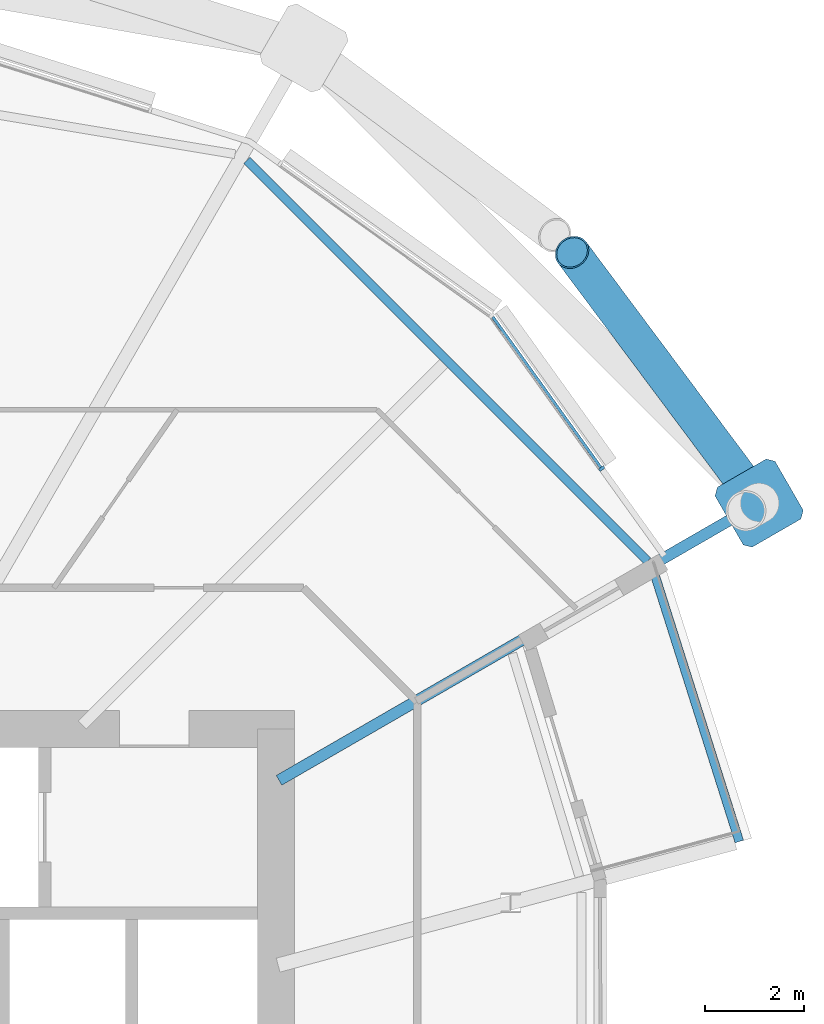
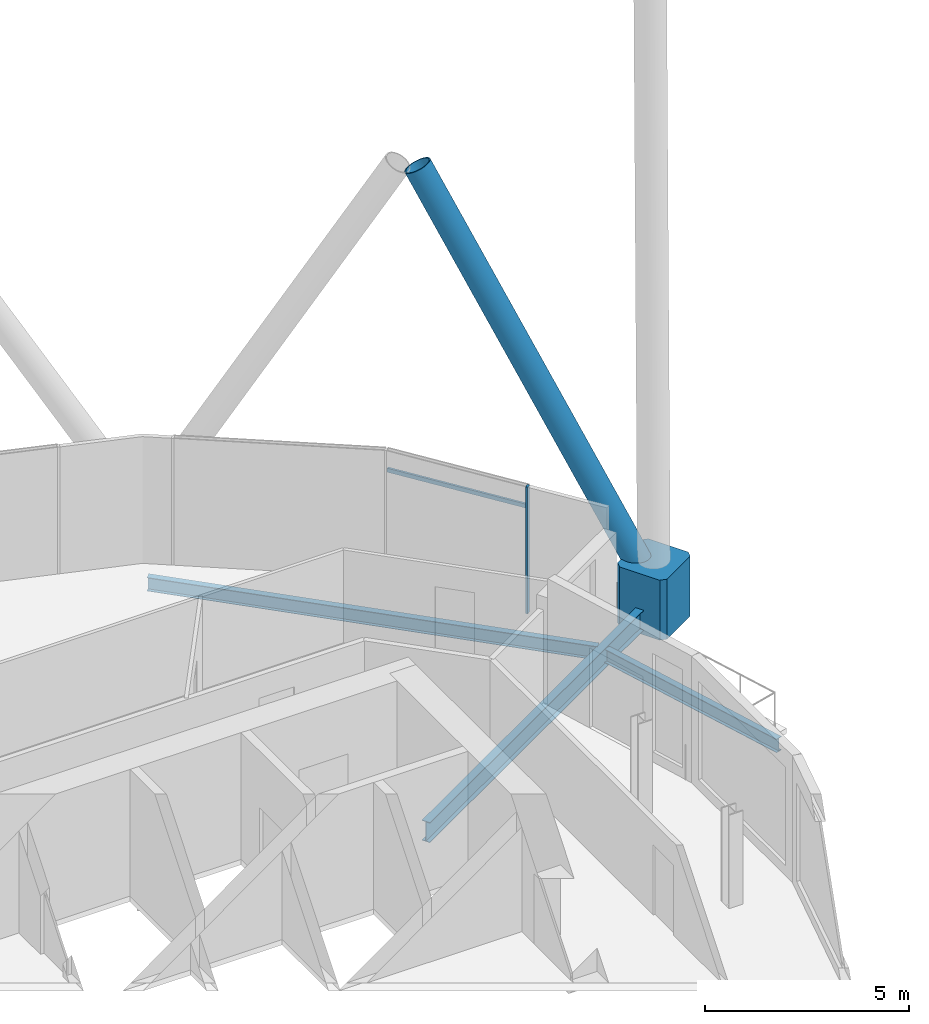
# One storey, part 23 of 39: 4 members, 3 beams, 1 element without a shape of its own.
"""IFC4 building model written with IfcOpenShell, lengths in metres."""

from ifc_helpers import new_model, si_unit, direction, frame, origin, origin_2d, place, context, subcontext, project, spatial, polyline, rectangle, hollow_circle, i_section, outline, extrude, material, material_profile, profile_set, type_object, element, aggregate, save


model = new_model("IFC4")

# Units and contexts
model_context = context("Model", 3, precision=1e-05, world=origin(), true_north=direction((0.0, 1.0)))
body_context = subcontext(model_context, "Body", "Model", "MODEL_VIEW")
ifc_project = project(units=[si_unit("LENGTHUNIT", "METRE"), si_unit("AREAUNIT", "SQUARE_METRE"), si_unit("VOLUMEUNIT", "CUBIC_METRE"), si_unit("PLANEANGLEUNIT", "RADIAN"), si_unit("MASSUNIT", "GRAM", prefix="KILO")], contexts=[model_context])

# Site, building, storey
site_placement = place(None, origin())
site = spatial("IfcSite", under=ifc_project, at=site_placement, CompositionType="ELEMENT")
building_placement = place(site_placement, origin())
building = spatial("IfcBuilding", under=site, at=building_placement, Name="Rimbun Link Towers", CompositionType="ELEMENT")
storey_placement = place(building_placement, frame((0.0, 0.0, 115.800048828125)))
storey = spatial("IfcBuildingStorey", under=building, at=storey_placement, Name="L28", CompositionType="ELEMENT", Elevation=115.800048828125)

# Curtain wall, members
ifc_material_1 = material(Name="Aluminium 6063-T6 and low-iron glass", Category="aluminium")
curtain_wall_type = type_object("IfcCurtainWallType", Name="CW1-Z2 unitised vision wall (zone 2)", PredefinedType="NOTDEFINED", material=ifc_material_1)
curtain_wall_placement = place(storey_placement, origin())
curtain_wall = element("IfcCurtainWall", 1, at=curtain_wall_placement, inside=storey, type_object=curtain_wall_type, Name="CW1 L28 T2", PredefinedType="NOTDEFINED")
ifc_material_2 = material(Name="Aluminium 6063-T6", Category="aluminium")
ifc_material_profile_1 = material_profile(ifc_material_2, rectangle(XDim=0.1201171875, YDim=0.06005859375, at=origin_2d()), Name="MULLION 60X120")
ifc_profile_set_1 = profile_set([ifc_material_profile_1], Name="Aluminium 6063-T6")
member_type_1 = type_object("IfcMemberType", Name="CW1 mullion 60X120", PredefinedType="MULLION", material=ifc_profile_set_1)
member_1_placement = place(storey_placement, frame((50.328125, 13.2607421875, 0.0), z_axis=(0.0, 0.0, 1.0), x_axis=(0.812469264421, 0.583004026034, 0.0)))
member_1 = element("IfcMember", 2, at=member_1_placement, type_object=member_type_1, Name="CW1 mullion", PredefinedType="MULLION", context=body_context, shape_type="SweptSolid", body=[
    extrude(rectangle(XDim=0.1201171875, YDim=0.06005859375, at=origin_2d()), origin(), (0.0, 0.0, 1.0), 3.800048828125),
])
ifc_material_3 = material(Name="Aluminium 6063-T6", Category="aluminium")
ifc_material_profile_2 = material_profile(ifc_material_3, rectangle(XDim=0.06005859375, YDim=0.1201171875, at=origin_2d()), Name="TRANSOM 60X120")
ifc_profile_set_2 = profile_set([ifc_material_profile_2], Name="Aluminium 6063-T6")
member_type_2 = type_object("IfcMemberType", Name="CW1 transom 60X120", PredefinedType="USERDEFINED", material=ifc_profile_set_2)
member_2_placement = place(storey_placement, frame((48.128173828125, 16.322998046875, 3.199951171875), z_axis=(0.582990310005, -0.812479106464, 0.0), x_axis=(0.812479106464, 0.582990310005, 0.0)))
member_2 = element("IfcMember", 3, at=member_2_placement, type_object=member_type_2, Name="CW1 transom", ObjectType="TRANSOM", PredefinedType="USERDEFINED", context=body_context, shape_type="SweptSolid", body=[
    extrude(rectangle(XDim=0.06005859375, YDim=0.1201171875, at=origin_2d()), origin(), (0.0, 0.0, 1.0), 3.740478515625),
])
aggregate(curtain_wall, [member_1, member_2])

# Members
ifc_material_4 = material(Name="Steel S460NH", Category="steel")
ifc_material_profile_3 = material_profile(ifc_material_4, hollow_circle(Radius=0.355712890625, WallThickness=0.031982421875, at=origin_2d()), Name="Diagrid diagonal CHS 711x32")
ifc_profile_set_3 = profile_set([ifc_material_profile_3], Name="Steel S460NH")
member_type_3 = type_object("IfcMemberType", Name="Diagrid diagonal CHS 711x32", PredefinedType="BRACE", material=ifc_profile_set_3)
member_3_placement = place(storey_placement, frame((53.361083984375, 12.763427734375, 0.43310546875), z_axis=(-0.298707794473, 0.400231497677, 0.866365051112), x_axis=(-0.801406649139, -0.598119873199, 0.0)))
element("IfcMember", 4, at=member_3_placement, inside=storey, type_object=member_type_3, Name="Diagrid diagonal T2 L28-L31 23b", PredefinedType="BRACE", context=body_context, shape_type="SweptSolid", body=[
    extrude(hollow_circle(Radius=0.355712890625, WallThickness=0.031982421875, at=origin_2d()), origin(), (0.0, 0.0, 1.0), 12.158447265625),
])
ifc_material_5 = material(Name="Cast steel G20Mn5+QT, Rp0.2 300 MPa", Category="steel")
ifc_material_profile_4 = material_profile(ifc_material_5, outline(polyline([(0.699951171875, -0.570068359375), (0.699951171875, 0.570068359375), (0.570068359375, 0.699951171875), (-0.570068359375, 0.699951171875), (-0.699951171875, 0.570068359375), (-0.699951171875, -0.570068359375), (-0.570068359375, -0.699951171875), (0.570068359375, -0.699951171875), (0.699951171875, -0.570068359375)])), Name="NODE 1400x1400")
ifc_profile_set_4 = profile_set([ifc_material_profile_4], Name="Cast steel G20Mn5+QT, Rp0.2 300 MPa")
member_type_4 = type_object("IfcMemberType", Name="Diagrid node cast 1400", PredefinedType="USERDEFINED", material=ifc_profile_set_4)
member_4_placement = place(storey_placement, frame((53.510498046875, 12.5634765625, -0.900146484375), z_axis=(0.0, 0.0, 1.0), x_axis=(0.866025403784, 0.5, 0.0)))
element("IfcMember", 5, at=member_4_placement, inside=storey, type_object=member_type_4, Name="Diagrid node L28 23", ObjectType="Diagrid node", PredefinedType="USERDEFINED", context=body_context, shape_type="SweptSolid", body=[
    extrude(outline(polyline([(0.699951171875, -0.570068359375), (0.699951171875, 0.570068359375), (0.570068359375, 0.699951171875), (-0.570068359375, 0.699951171875), (-0.699951171875, 0.570068359375), (-0.699951171875, -0.570068359375), (-0.570068359375, -0.699951171875), (0.570068359375, -0.699951171875), (0.699951171875, -0.570068359375)])), origin(), (0.0, 0.0, 1.0), 1.800048828125),
])

# Beams
ifc_material_6 = material(Name="Steel S355J2", Category="steel")
ifc_material_profile_5 = material_profile(ifc_material_6, i_section(OverallWidth=0.177978515625, OverallDepth=0.406494140625, WebThickness=0.0078125, FlangeThickness=0.0126953125, at=origin_2d()), Name="UB 406x178x60")
ifc_profile_set_5 = profile_set([ifc_material_profile_5], Name="Steel S355J2")
beam_type_1 = type_object("IfcBeamType", Name="UB 406x178x60", PredefinedType="BEAM", material=ifc_profile_set_5)
beam_1_placement = place(storey_placement, frame((53.109375, 5.724365234375, -0.36328125), z_axis=(-0.30193371145, 0.953328922193, 0.0), x_axis=(-0.953328922193, -0.30193371145, 0.0)))
element("IfcBeam", 6, at=beam_1_placement, inside=storey, type_object=beam_type_1, Name="Edge beam T2 L28 22 terrace", PredefinedType="BEAM", context=body_context, shape_type="SweptSolid", body=[
    extrude(i_section(OverallWidth=0.177978515625, OverallDepth=0.406494140625, WebThickness=0.0078125, FlangeThickness=0.0126953125, at=origin_2d()), origin(), (0.0, 0.0, 1.0), 5.722412109375),
])
beam_2_placement = place(storey_placement, frame((51.256103515625, 11.39453125, -0.36328125), z_axis=(-0.707106781187, 0.707106781187, 0.0), x_axis=(-0.707106781187, -0.707106781187, 0.0)))
element("IfcBeam", 7, at=beam_2_placement, inside=storey, type_object=beam_type_1, Name="Edge beam T2 L28 23-01", PredefinedType="BEAM", context=body_context, shape_type="SweptSolid", body=[
    extrude(i_section(OverallWidth=0.177978515625, OverallDepth=0.406494140625, WebThickness=0.0078125, FlangeThickness=0.0126953125, at=origin_2d()), origin(), (0.0, 0.0, 1.0), 11.451416015625),
])
ifc_material_7 = material(Name="Steel S355J2", Category="steel")
ifc_material_profile_6 = material_profile(ifc_material_7, i_section(OverallWidth=0.2275390625, OverallDepth=0.6025390625, WebThickness=0.010498046875, FlangeThickness=0.014892578125, at=origin_2d()), Name="UB 610x229x101")
ifc_profile_set_6 = profile_set([ifc_material_profile_6], Name="Steel S355J2")
beam_type_2 = type_object("IfcBeamType", Name="UB 610x229x101", PredefinedType="BEAM", material=ifc_profile_set_6)
beam_3_placement = place(storey_placement, frame((43.807861328125, 6.96142578125, -0.46142578125), z_axis=(0.866013897511, 0.50001992892, 0.0), x_axis=(-0.50001992892, 0.866013897511, 0.0)))
element("IfcBeam", 8, at=beam_3_placement, inside=storey, type_object=beam_type_2, Name="Radial beam T2 L28 23", PredefinedType="BEAM", context=body_context, shape_type="SweptSolid", body=[
    extrude(i_section(OverallWidth=0.2275390625, OverallDepth=0.6025390625, WebThickness=0.010498046875, FlangeThickness=0.014892578125, at=origin_2d()), origin(), (0.0, 0.0, 1.0), 10.70361328125),
])

save(model, "model.ifc")
